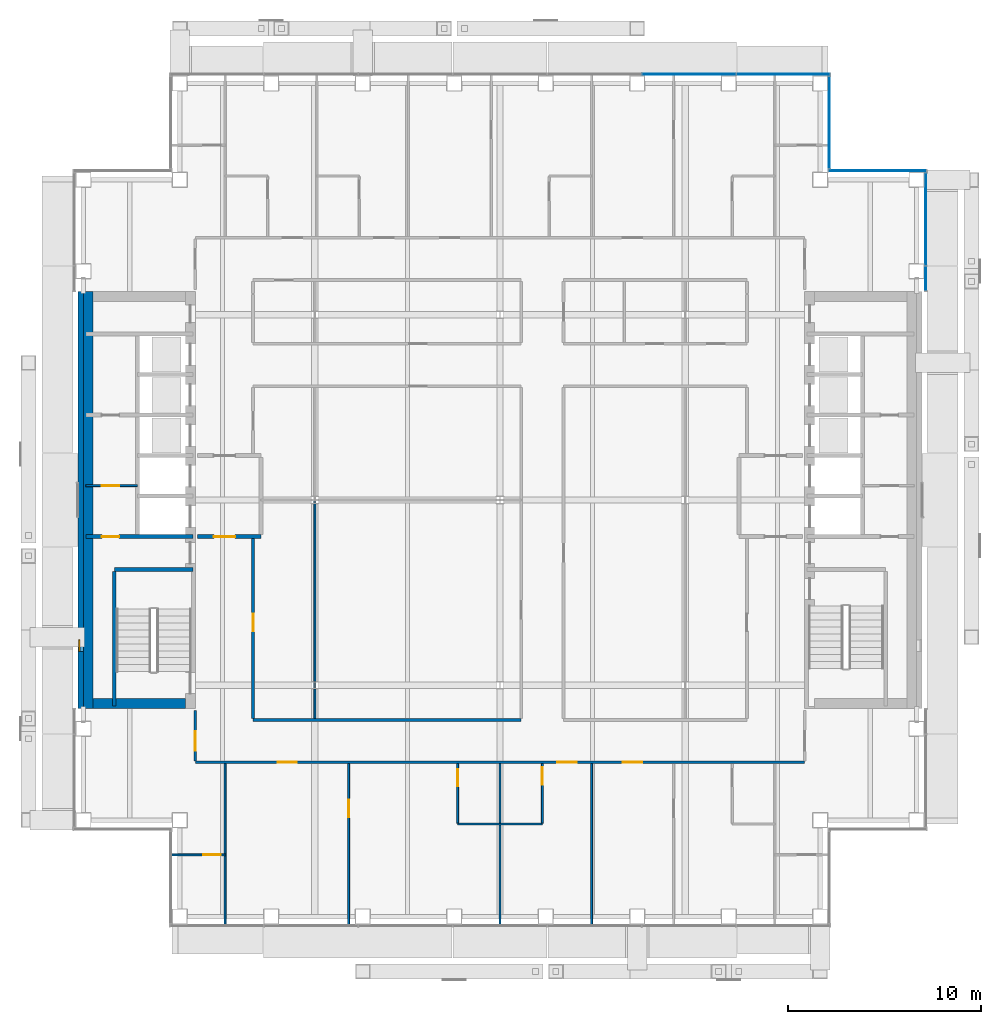
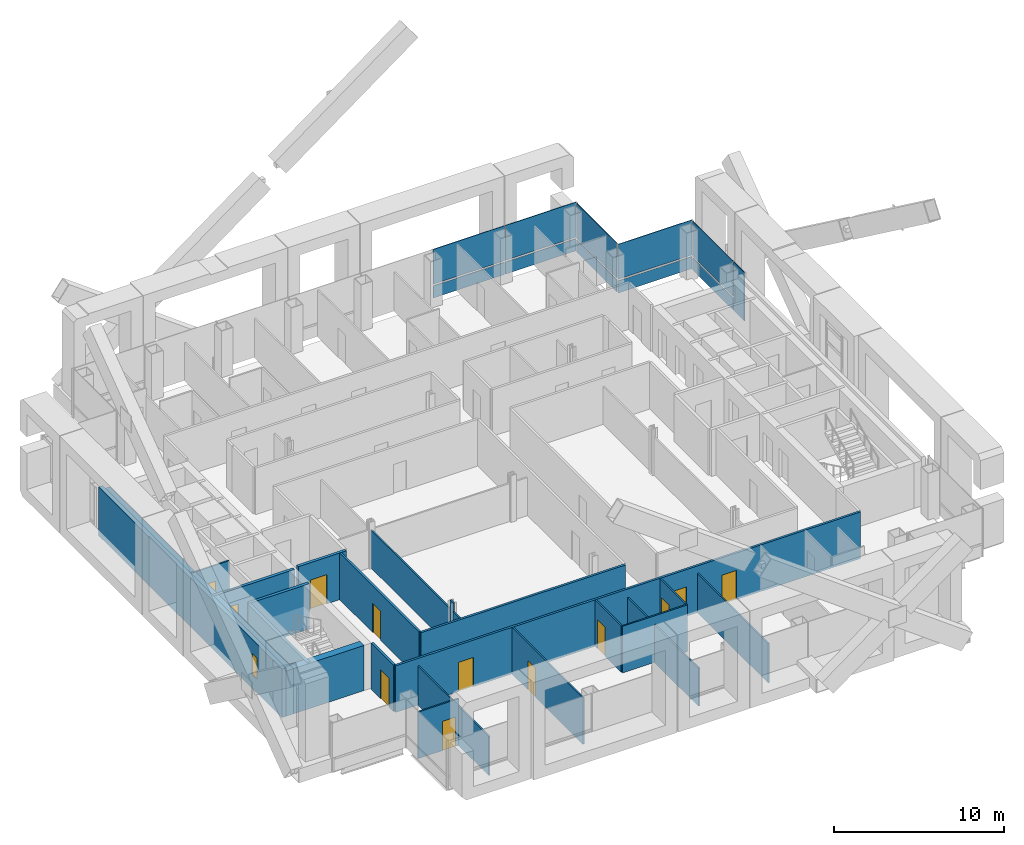
# One storey, part 12 of 22: 24 walls, 12 doors, 11 plates, 1 window, 13 openings, 4 elements without a shape of their own.
"""IFC4 building model written with IfcOpenShell, lengths in metres."""

from ifc_helpers import new_model, si_unit, direction, frame, frame_2d, origin, origin_2d, place, context, subcontext, project, spatial, rectangle, extrude, material, layer, layer_set, type_object, element, fill, aggregate, save


model = new_model("IFC4")

# Units and contexts
model_context = context("Model", 3, precision=1e-05, world=origin(), true_north=direction((0.0, 1.0)))
body_context = subcontext(model_context, "Body", "Model", "MODEL_VIEW")
ifc_project = project(units=[si_unit("LENGTHUNIT", "METRE"), si_unit("AREAUNIT", "SQUARE_METRE"), si_unit("VOLUMEUNIT", "CUBIC_METRE"), si_unit("PLANEANGLEUNIT", "RADIAN"), si_unit("MASSUNIT", "GRAM", prefix="KILO")], contexts=[model_context])

# Site, building, storey
site_placement = place(None, origin())
site = spatial("IfcSite", under=ifc_project, at=site_placement, CompositionType="ELEMENT")
building_placement = place(site_placement, origin())
building = spatial("IfcBuilding", under=site, at=building_placement, Name="Cobrizo Arcos Hotel Tower", CompositionType="ELEMENT")
storey_placement = place(building_placement, frame((0.0, 0.0, 169.0)))
storey = spatial("IfcBuildingStorey", under=building, at=storey_placement, Name="L43", CompositionType="ELEMENT", Elevation=169.0)

# Curtain wall, plate
ifc_material_1 = material(Name="Aluminium 6063-T6 anodised bronze", Category="aluminium")
curtain_wall_type = type_object("IfcCurtainWallType", Name="CW-A guest facade", PredefinedType="NOTDEFINED", material=ifc_material_1)
curtain_wall_1_placement = place(storey_placement, origin())
curtain_wall_1 = element("IfcCurtainWall", 1, at=curtain_wall_1_placement, inside=storey, type_object=curtain_wall_type, Name="CW-A L43 E face", PredefinedType="NOTDEFINED")
ifc_material_2 = material(Name="Glass clear laminated low-e", Category="glass")
ifc_layer_1 = layer(ifc_material_2, 0.0400390625)
ifc_layer_set_1 = layer_set([ifc_layer_1], Name="CW-A glass panel")
plate_type_1 = type_object("IfcPlateType", Name="CW-A glass panel", PredefinedType="CURTAIN_PANEL", material=ifc_layer_set_1)
plate_1_placement = place(storey_placement, frame((22.074951171875, 14.556396484375, 0.990234375), z_axis=(0.0, 0.0, 1.0), x_axis=(0.0, 1.0, 0.0)))
plate_1 = element("IfcPlate", 2, at=plate_1_placement, type_object=plate_type_1, Name="CW-A glass panel 1528", PredefinedType="CURTAIN_PANEL", context=body_context, shape_type="SweptSolid", body=[
    extrude(rectangle(XDim=4.76708984375, YDim=0.0400390625, at=origin_2d()), origin(), (0.0, 0.0, 1.0), 2.510009765625),
])

curtain_wall_2_placement = place(storey_placement, origin())
curtain_wall_2 = element("IfcCurtainWall", 3, at=curtain_wall_2_placement, inside=storey, type_object=curtain_wall_type, Name="CW-A L43 N face", PredefinedType="NOTDEFINED")
plate_2_placement = place(storey_placement, frame((19.574951171875, 17.074951171875, 0.990234375), z_axis=(0.0, 0.0, 1.0), x_axis=(-1.0, 0.0, 0.0)))
plate_2 = element("IfcPlate", 4, at=plate_2_placement, type_object=plate_type_1, Name="CW-A glass panel 1529", PredefinedType="CURTAIN_PANEL", context=body_context, shape_type="SweptSolid", body=[
    extrude(rectangle(XDim=5.030029296875, YDim=0.0400390625, at=origin_2d()), origin(), (0.0, 0.0, 1.0), 2.510009765625),
])

curtain_wall_3_placement = place(storey_placement, origin())
curtain_wall_3 = element("IfcCurtainWall", 5, at=curtain_wall_3_placement, inside=storey, type_object=curtain_wall_type, Name="CW-A L43 E face", PredefinedType="NOTDEFINED")
plate_3_placement = place(storey_placement, frame((17.074951171875, 19.574951171875, 0.990234375), z_axis=(0.0, 0.0, 1.0), x_axis=(0.0, 1.0, 0.0)))
plate_3 = element("IfcPlate", 6, at=plate_3_placement, type_object=plate_type_1, Name="CW-A glass panel 1530", PredefinedType="CURTAIN_PANEL", context=body_context, shape_type="SweptSolid", body=[
    extrude(rectangle(XDim=4.72998046875, YDim=0.0400390625, at=origin_2d()), origin(), (0.0, 0.0, 1.0), 2.510009765625),
])

# Curtain wall, plates
curtain_wall_4_placement = place(storey_placement, origin())
curtain_wall_4 = element("IfcCurtainWall", 7, at=curtain_wall_4_placement, inside=storey, type_object=curtain_wall_type, Name="CW-A L43 N face", PredefinedType="NOTDEFINED")
plate_4_placement = place(storey_placement, frame((14.68505859375, 22.074951171875, 0.990234375), z_axis=(0.0, 0.0, 1.0), x_axis=(-1.0, 0.0, 0.0)))
plate_4 = element("IfcPlate", 8, at=plate_4_placement, type_object=plate_type_1, Name="CW-A glass panel 1531", PredefinedType="CURTAIN_PANEL", context=body_context, shape_type="SweptSolid", body=[
    extrude(rectangle(XDim=4.81005859375, YDim=0.0400390625, at=origin_2d()), origin(), (0.0, 0.0, 1.0), 2.510009765625),
])
plate_5_placement = place(storey_placement, frame((9.800048828125, 22.074951171875, 0.990234375), z_axis=(0.0, 0.0, 1.0), x_axis=(-1.0, 0.0, 0.0)))
plate_5 = element("IfcPlate", 9, at=plate_5_placement, type_object=plate_type_1, Name="CW-A glass panel 1532", PredefinedType="CURTAIN_PANEL", context=body_context, shape_type="SweptSolid", body=[
    extrude(rectangle(XDim=4.840087890625, YDim=0.0400390625, at=origin_2d()), origin(), (0.0, 0.0, 1.0), 2.510009765625),
])

# Plate
ifc_material_3 = material(Name="Aluminium composite panel pale metal", Category="aluminium")
ifc_layer_2 = layer(ifc_material_3, 0.0400390625)
ifc_layer_set_2 = layer_set([ifc_layer_2], Name="CW-A spandrel panel")
plate_type_2 = type_object("IfcPlateType", Name="CW-A spandrel panel", PredefinedType="CURTAIN_PANEL", material=ifc_layer_set_2)
plate_6_placement = place(storey_placement, frame((22.074951171875, 11.486328125, 0.0), z_axis=(0.0, 0.0, 1.0), x_axis=(0.0, 1.0, 0.0)))
plate_6 = element("IfcPlate", 10, at=plate_6_placement, type_object=plate_type_2, Name="CW-A spandrel panel 1527", PredefinedType="CURTAIN_PANEL", context=body_context, shape_type="SweptSolid", body=[
    extrude(rectangle(XDim=1.2529296875, YDim=0.0400390625, at=origin_2d()), origin(), (0.0, 0.0, 1.0), 3.5),
])

plate_7_placement = place(storey_placement, frame((22.074951171875, 14.556396484375, 0.0), z_axis=(0.0, 0.0, 1.0), x_axis=(0.0, 1.0, 0.0)))
plate_7 = element("IfcPlate", 11, at=plate_7_placement, type_object=plate_type_2, Name="CW-A spandrel panel 1528", PredefinedType="CURTAIN_PANEL", context=body_context, shape_type="SweptSolid", body=[
    extrude(rectangle(XDim=4.76708984375, YDim=0.0400390625, at=origin_2d()), origin(), (0.0, 0.0, 1.0), 0.8701171875),
])

aggregate(curtain_wall_1, [plate_6, plate_7, plate_1])

plate_8_placement = place(storey_placement, frame((19.574951171875, 17.074951171875, 0.0), z_axis=(0.0, 0.0, 1.0), x_axis=(-1.0, 0.0, 0.0)))
plate_8 = element("IfcPlate", 12, at=plate_8_placement, type_object=plate_type_2, Name="CW-A spandrel panel 1529", PredefinedType="CURTAIN_PANEL", context=body_context, shape_type="SweptSolid", body=[
    extrude(rectangle(XDim=5.030029296875, YDim=0.0400390625, at=origin_2d()), origin(), (0.0, 0.0, 1.0), 0.8701171875),
])

aggregate(curtain_wall_2, [plate_8, plate_2])

plate_9_placement = place(storey_placement, frame((17.074951171875, 19.574951171875, 0.0), z_axis=(0.0, 0.0, 1.0), x_axis=(0.0, 1.0, 0.0)))
plate_9 = element("IfcPlate", 13, at=plate_9_placement, type_object=plate_type_2, Name="CW-A spandrel panel 1530", PredefinedType="CURTAIN_PANEL", context=body_context, shape_type="SweptSolid", body=[
    extrude(rectangle(XDim=4.72998046875, YDim=0.0400390625, at=origin_2d()), origin(), (0.0, 0.0, 1.0), 0.8701171875),
])

aggregate(curtain_wall_3, [plate_9, plate_3])

plate_10_placement = place(storey_placement, frame((14.68505859375, 22.074951171875, 0.0), z_axis=(0.0, 0.0, 1.0), x_axis=(-1.0, 0.0, 0.0)))
plate_10 = element("IfcPlate", 14, at=plate_10_placement, type_object=plate_type_2, Name="CW-A spandrel panel 1531", PredefinedType="CURTAIN_PANEL", context=body_context, shape_type="SweptSolid", body=[
    extrude(rectangle(XDim=4.81005859375, YDim=0.0400390625, at=origin_2d()), origin(), (0.0, 0.0, 1.0), 0.8701171875),
])

plate_11_placement = place(storey_placement, frame((9.800048828125, 22.074951171875, 0.0), z_axis=(0.0, 0.0, 1.0), x_axis=(-1.0, 0.0, 0.0)))
plate_11 = element("IfcPlate", 15, at=plate_11_placement, type_object=plate_type_2, Name="CW-A spandrel panel 1532", PredefinedType="CURTAIN_PANEL", context=body_context, shape_type="SweptSolid", body=[
    extrude(rectangle(XDim=4.840087890625, YDim=0.0400390625, at=origin_2d()), origin(), (0.0, 0.0, 1.0), 0.8701171875),
])

aggregate(curtain_wall_4, [plate_10, plate_4, plate_11, plate_5])

# Wall, openings, doors
ifc_material_4 = material(Name="Gypsum board partition")
ifc_layer_3 = layer(ifc_material_4, 0.14990234375)
ifc_layer_set_3 = layer_set([ifc_layer_3], Name="Corridor wall EI 60 150")
wall_type_1 = type_object("IfcWallType", Name="Corridor wall EI 60 150", PredefinedType="PARTITIONING", material=ifc_layer_set_3)
wall_1_placement = place(storey_placement, frame((-15.800048828125, -13.60009765625, 0.0), z_axis=(0.0, 0.0, 1.0), x_axis=(1.0, 0.0, 0.0)))
wall_1 = element("IfcWall", 16, at=wall_1_placement, inside=storey, type_object=wall_type_1, Name="Partition 005", PredefinedType="PARTITIONING", context=body_context, shape_type="SweptSolid", body=[
    extrude(rectangle(XDim=31.60009765625, YDim=0.14990234375, at=frame_2d((15.800048828125, 0.0))), origin(), (0.0, 0.0, 1.0), 3.35009765625),
])
opening_1_placement = place(wall_1_placement, frame((4.27294921875, 0.0, 0.0)))
opening_1 = element("IfcOpeningElement", 17, at=opening_1_placement, cuts=wall_1, Name="Opening GD-05", PredefinedType="OPENING", context=body_context, shape_type="SweptSolid", body=[
    extrude(rectangle(XDim=1.0, YDim=2.10009765625, at=frame_2d((0.5, 1.050048828125))), frame((0.0, 0.0869140625, 0.0), z_axis=(0.0, -1.0, 0.0), x_axis=(1.0, 0.0, 0.0)), (0.0, 0.0, 1.0), 0.173828125),
])
opening_2_placement = place(wall_1_placement, frame((18.77099609375, 0.0, 0.0)))
opening_2 = element("IfcOpeningElement", 18, at=opening_2_placement, cuts=wall_1, Name="Opening GD-06", PredefinedType="OPENING", context=body_context, shape_type="SweptSolid", body=[
    extrude(rectangle(XDim=1.0, YDim=2.10009765625, at=frame_2d((0.5, 1.050048828125))), frame((0.0, 0.0869140625, 0.0), z_axis=(0.0, -1.0, 0.0), x_axis=(1.0, 0.0, 0.0)), (0.0, 0.0, 1.0), 0.173828125),
])
opening_3_placement = place(wall_1_placement, frame((22.177978515625, 0.0, 0.0)))
opening_3 = element("IfcOpeningElement", 19, at=opening_3_placement, cuts=wall_1, Name="Opening GD-07", PredefinedType="OPENING", context=body_context, shape_type="SweptSolid", body=[
    extrude(rectangle(XDim=1.0, YDim=2.10009765625, at=frame_2d((0.5, 1.050048828125))), frame((0.0, 0.0869140625, 0.0), z_axis=(0.0, -1.0, 0.0), x_axis=(1.0, 0.0, 0.0)), (0.0, 0.0, 1.0), 0.173828125),
])
ifc_material_5 = material(Name="Timber door leaf", Category="wood")
door_type_1 = type_object("IfcDoorType", Name="Guest room door FD30S 1000x2100", OperationType="SINGLE_SWING_LEFT", PredefinedType="DOOR", material=ifc_material_5)
door_1_placement = place(opening_1_placement, origin())
door_1 = element("IfcDoor", 20, at=door_1_placement, inside=storey, type_object=door_type_1, Name="Door GD-05", OperationType="SINGLE_SWING_RIGHT", OverallHeight=2.10009765625, OverallWidth=1.0, PredefinedType="DOOR", context=body_context, shape_type="SweptSolid", body=[
    extrude(rectangle(XDim=1.0, YDim=2.10009765625, at=frame_2d((0.5, 1.050048828125))), frame((0.0, 0.02490234375, 0.0), z_axis=(0.0, -1.0, 0.0), x_axis=(1.0, 0.0, 0.0)), (0.0, 0.0, 1.0), 0.050048828125),
])
fill(opening_1, door_1)
door_2_placement = place(opening_2_placement, origin())
door_2 = element("IfcDoor", 21, at=door_2_placement, inside=storey, type_object=door_type_1, Name="Door GD-06", OperationType="SINGLE_SWING_LEFT", OverallHeight=2.10009765625, OverallWidth=1.0, PredefinedType="DOOR", context=body_context, shape_type="SweptSolid", body=[
    extrude(rectangle(XDim=1.0, YDim=2.10009765625, at=frame_2d((0.5, 1.050048828125))), frame((0.0, 0.02490234375, 0.0), z_axis=(0.0, -1.0, 0.0), x_axis=(1.0, 0.0, 0.0)), (0.0, 0.0, 1.0), 0.050048828125),
])
fill(opening_2, door_2)
door_3_placement = place(opening_3_placement, origin())
door_3 = element("IfcDoor", 22, at=door_3_placement, inside=storey, type_object=door_type_1, Name="Door GD-07", OperationType="SINGLE_SWING_LEFT", OverallHeight=2.10009765625, OverallWidth=1.0, PredefinedType="DOOR", context=body_context, shape_type="SweptSolid", body=[
    extrude(rectangle(XDim=1.0, YDim=2.10009765625, at=frame_2d((0.5, 1.050048828125))), frame((0.0, 0.02490234375, 0.0), z_axis=(0.0, -1.0, 0.0), x_axis=(1.0, 0.0, 0.0)), (0.0, 0.0, 1.0), 0.050048828125),
])
fill(opening_3, door_3)

# Wall
wall_2_placement = place(storey_placement, frame((-12.800048828125, -11.39990234375, 0.0), z_axis=(0.0, 0.0, 1.0), x_axis=(1.0, 0.0, 0.0)))
element("IfcWall", 23, at=wall_2_placement, inside=storey, type_object=wall_type_1, Name="Partition 006", PredefinedType="PARTITIONING", context=body_context, shape_type="SweptSolid", body=[
    extrude(rectangle(XDim=13.900146484375, YDim=0.14990234375, at=frame_2d((6.9501953125, 0.0))), origin(), (0.0, 0.0, 1.0), 3.35009765625),
])

# Wall, opening, door
wall_3_placement = place(storey_placement, frame((-15.800048828125, -13.52490234375, 0.0), z_axis=(0.0, 0.0, 1.0), x_axis=(0.0, 1.0, 0.0)))
wall_3 = element("IfcWall", 24, at=wall_3_placement, inside=storey, type_object=wall_type_1, Name="Partition 050", PredefinedType="PARTITIONING", context=body_context, shape_type="SweptSolid", body=[
    extrude(rectangle(XDim=2.60498046875, YDim=0.14990234375, at=frame_2d((1.302490234375, 0.0))), origin(), (0.0, 0.0, 1.0), 3.35009765625),
])
opening_4_placement = place(wall_3_placement, frame((0.52490234375, 0.0, 0.0)))
opening_4 = element("IfcOpeningElement", 25, at=opening_4_placement, cuts=wall_3, Name="Opening GD-08", PredefinedType="OPENING", context=body_context, shape_type="SweptSolid", body=[
    extrude(rectangle(XDim=1.0, YDim=2.10009765625, at=frame_2d((0.5, 1.050048828125))), frame((0.0, 0.0869140625, 0.0), z_axis=(0.0, -1.0, 0.0), x_axis=(1.0, 0.0, 0.0)), (0.0, 0.0, 1.0), 0.173828125),
])
door_4_placement = place(opening_4_placement, origin())
door_4 = element("IfcDoor", 26, at=door_4_placement, inside=storey, type_object=door_type_1, Name="Door GD-08", OperationType="SINGLE_SWING_LEFT", OverallHeight=2.10009765625, OverallWidth=1.0, PredefinedType="DOOR", context=body_context, shape_type="SweptSolid", body=[
    extrude(rectangle(XDim=1.0, YDim=2.10009765625, at=frame_2d((0.5, 1.050048828125))), frame((0.0, 0.02490234375, 0.0), z_axis=(0.0, -1.0, 0.0), x_axis=(1.0, 0.0, 0.0)), (0.0, 0.0, 1.0), 0.050048828125),
])
fill(opening_4, door_4)

wall_4_placement = place(storey_placement, frame((-12.800048828125, -11.324951171875, 0.0), z_axis=(0.0, 0.0, 1.0), x_axis=(0.0, 1.0, 0.0)))
wall_4 = element("IfcWall", 27, at=wall_4_placement, inside=storey, type_object=wall_type_1, Name="Partition 054", PredefinedType="PARTITIONING", context=body_context, shape_type="SweptSolid", body=[
    extrude(rectangle(XDim=9.324951171875, YDim=0.14990234375, at=frame_2d((4.66259765625, 0.0))), origin(), (0.0, 0.0, 1.0), 3.35009765625),
])
opening_5_placement = place(wall_4_placement, frame((4.52490234375, 0.0, 0.0)))
opening_5 = element("IfcOpeningElement", 28, at=opening_5_placement, cuts=wall_4, Name="Opening RD-17", PredefinedType="OPENING", context=body_context, shape_type="SweptSolid", body=[
    extrude(rectangle(XDim=0.89990234375, YDim=2.10009765625, at=frame_2d((0.449951171875, 1.050048828125))), frame((0.0, 0.0869140625, 0.0), z_axis=(0.0, -1.0, 0.0), x_axis=(1.0, 0.0, 0.0)), (0.0, 0.0, 1.0), 0.173828125),
])
door_type_2 = type_object("IfcDoorType", Name="Room door FD30 900x2100", OperationType="SINGLE_SWING_LEFT", PredefinedType="DOOR", material=ifc_material_5)
door_5_placement = place(opening_5_placement, origin())
door_5 = element("IfcDoor", 29, at=door_5_placement, inside=storey, type_object=door_type_2, Name="Door RD-17", OperationType="SINGLE_SWING_LEFT", OverallHeight=2.10009765625, OverallWidth=0.89990234375, PredefinedType="DOOR", context=body_context, shape_type="SweptSolid", body=[
    extrude(rectangle(XDim=0.89990234375, YDim=2.10009765625, at=frame_2d((0.449951171875, 1.050048828125))), frame((0.0, 0.02490234375, 0.0), z_axis=(0.0, -1.0, 0.0), x_axis=(1.0, 0.0, 0.0)), (0.0, 0.0, 1.0), 0.050048828125),
])
fill(opening_5, door_5)

# Wall, opening, window
ifc_layer_4 = layer(ifc_material_3, 0.27490234375)
ifc_layer_set_4 = layer_set([ifc_layer_4], Name="EW-1 insulated panel wall 275")
wall_type_2 = type_object("IfcWallType", Name="EW-1 insulated panel wall 275", PredefinedType="SOLIDWALL", material=ifc_layer_set_4)
wall_5_placement = place(storey_placement, frame((-21.737548828125, 10.800048828125, 0.0), z_axis=(0.0, 0.0, 1.0), x_axis=(0.0, -1.0, 0.0)))
wall_5 = element("IfcWall", 30, at=wall_5_placement, inside=storey, type_object=wall_type_2, Name="Core face wall L43 W", PredefinedType="SOLIDWALL", context=body_context, shape_type="SweptSolid", body=[
    extrude(rectangle(XDim=21.60009765625, YDim=0.27490234375, at=frame_2d((10.800048828125, 0.0))), origin(), (0.0, 0.0, 1.0), 3.5),
])
opening_6_placement = place(wall_5_placement, frame((18.050048828125, 0.0, 1.0)))
opening_6 = element("IfcOpeningElement", 31, at=opening_6_placement, cuts=wall_5, Name="Opening W-94", PredefinedType="OPENING", context=body_context, shape_type="SweptSolid", body=[
    extrude(rectangle(XDim=0.60009765625, YDim=1.5, at=frame_2d((0.300048828125, 0.75))), frame((0.0, 0.1494140625, 0.0), z_axis=(0.0, -1.0, 0.0), x_axis=(1.0, 0.0, 0.0)), (0.0, 0.0, 1.0), 0.298828125),
])
ifc_material_6 = material(Name="Aluminium 6063-T6 and clear laminated glass", Category="aluminium")
window_type = type_object("IfcWindowType", Name="W-C1 core stair slot window 600x1500", PartitioningType="SINGLE_PANEL", PredefinedType="WINDOW", material=ifc_material_6)
window_placement = place(opening_6_placement, origin())
window = element("IfcWindow", 32, at=window_placement, inside=storey, type_object=window_type, Name="Core face wall L43 W window W-94", OverallHeight=1.5, OverallWidth=0.60009765625, PartitioningType="SINGLE_PANEL", PredefinedType="WINDOW", context=body_context, shape_type="SweptSolid", body=[
    extrude(rectangle(XDim=0.60009765625, YDim=1.5, at=frame_2d((0.300048828125, 0.75))), frame((0.0, -0.04736328125, 0.0), z_axis=(0.0, -1.0, 0.0), x_axis=(1.0, 0.0, 0.0)), (0.0, 0.0, 1.0), 0.06005859375),
])
fill(opening_6, window)

# Wall, opening, door
ifc_layer_5 = layer(ifc_material_4, 0.10009765625)
ifc_layer_set_5 = layer_set([ifc_layer_5], Name="Partition EI 30 100")
wall_type_3 = type_object("IfcWallType", Name="Partition EI 30 100", PredefinedType="PARTITIONING", material=ifc_layer_set_5)
wall_6_placement = place(storey_placement, frame((-17.030029296875, -18.39990234375, 0.0), z_axis=(0.0, 0.0, 1.0), x_axis=(1.0, 0.0, 0.0)))
wall_6 = element("IfcWall", 33, at=wall_6_placement, inside=storey, type_object=wall_type_3, Name="Partition 001", PredefinedType="PARTITIONING", context=body_context, shape_type="SweptSolid", body=[
    extrude(rectangle(XDim=2.780029296875, YDim=0.10009765625, at=frame_2d((1.39013671875, 0.0))), origin(), (0.0, 0.0, 1.0), 3.35009765625),
])
opening_7_placement = place(wall_6_placement, frame((1.639892578125, 0.0, 0.0)))
opening_7 = element("IfcOpeningElement", 34, at=opening_7_placement, cuts=wall_6, Name="Opening ED-08", PredefinedType="OPENING", context=body_context, shape_type="SweptSolid", body=[
    extrude(rectangle(XDim=0.89990234375, YDim=2.10009765625, at=frame_2d((0.449951171875, 1.050048828125))), frame((0.0, 0.06201171875, 0.0), z_axis=(0.0, -1.0, 0.0), x_axis=(1.0, 0.0, 0.0)), (0.0, 0.0, 1.0), 0.1240234375),
])
door_type_3 = type_object("IfcDoorType", Name="En-suite door 900x2100", OperationType="SINGLE_SWING_LEFT", PredefinedType="DOOR", material=ifc_material_5)
door_6_placement = place(opening_7_placement, origin())
door_6 = element("IfcDoor", 35, at=door_6_placement, inside=storey, type_object=door_type_3, Name="Door ED-08", OperationType="SINGLE_SWING_LEFT", OverallHeight=2.10009765625, OverallWidth=0.89990234375, PredefinedType="DOOR", context=body_context, shape_type="SweptSolid", body=[
    extrude(rectangle(XDim=0.89990234375, YDim=2.10009765625, at=frame_2d((0.449951171875, 1.050048828125))), frame((0.0, 0.02490234375, 0.0), z_axis=(0.0, -1.0, 0.0), x_axis=(1.0, 0.0, 0.0)), (0.0, 0.0, 1.0), 0.050048828125),
])
fill(opening_7, door_6)

# Wall
wall_7_placement = place(storey_placement, frame((-2.199951171875, -16.800048828125, 0.0), z_axis=(0.0, 0.0, 1.0), x_axis=(1.0, 0.0, 0.0)))
element("IfcWall", 36, at=wall_7_placement, inside=storey, type_object=wall_type_3, Name="Partition 003", PredefinedType="PARTITIONING", context=body_context, shape_type="SweptSolid", body=[
    extrude(rectangle(XDim=4.39990234375, YDim=0.10009765625, at=frame_2d((2.199951171875, 0.0))), origin(), (0.0, 0.0, 1.0), 3.35009765625),
])

# Wall, opening, door
wall_8_placement = place(storey_placement, frame((-21.47998046875, 0.75, 0.0), z_axis=(0.0, 0.0, 1.0), x_axis=(1.0, 0.0, 0.0)))
wall_8 = element("IfcWall", 37, at=wall_8_placement, inside=storey, type_object=wall_type_3, Name="Partition 021", PredefinedType="PARTITIONING", context=body_context, shape_type="SweptSolid", body=[
    extrude(rectangle(XDim=2.679931640625, YDim=0.10009765625, at=frame_2d((1.33984375, 0.0))), origin(), (0.0, 0.0, 1.0), 3.25),
])
opening_8_placement = place(wall_8_placement, frame((0.830078125, 0.0, 0.0)))
opening_8 = element("IfcOpeningElement", 38, at=opening_8_placement, cuts=wall_8, Name="Opening RD-03", PredefinedType="OPENING", context=body_context, shape_type="SweptSolid", body=[
    extrude(rectangle(XDim=0.89990234375, YDim=2.10009765625, at=frame_2d((0.449951171875, 1.050048828125))), frame((0.0, 0.06201171875, 0.0), z_axis=(0.0, -1.0, 0.0), x_axis=(1.0, 0.0, 0.0)), (0.0, 0.0, 1.0), 0.1240234375),
])
door_7_placement = place(opening_8_placement, origin())
door_7 = element("IfcDoor", 39, at=door_7_placement, inside=storey, type_object=door_type_2, Name="Door RD-03", OperationType="SINGLE_SWING_LEFT", OverallHeight=2.10009765625, OverallWidth=0.89990234375, PredefinedType="DOOR", context=body_context, shape_type="SweptSolid", body=[
    extrude(rectangle(XDim=0.89990234375, YDim=2.10009765625, at=frame_2d((0.449951171875, 1.050048828125))), frame((0.0, 0.02490234375, 0.0), z_axis=(0.0, -1.0, 0.0), x_axis=(1.0, 0.0, 0.0)), (0.0, 0.0, 1.0), 0.050048828125),
])
fill(opening_8, door_7)

# Walls
wall_9_placement = place(storey_placement, frame((-14.25, -22.030029296875, 0.0), z_axis=(0.0, 0.0, 1.0), x_axis=(0.0, 1.0, 0.0)))
element("IfcWall", 40, at=wall_9_placement, inside=storey, type_object=wall_type_3, Name="Partition 052", PredefinedType="PARTITIONING", context=body_context, shape_type="SweptSolid", body=[
    extrude(rectangle(XDim=8.35498046875, YDim=0.10009765625, at=frame_2d((4.177490234375, 0.0))), origin(), (0.0, 0.0, 1.0), 2.81689453125),
])
wall_10_placement = place(storey_placement, frame((-9.60009765625, -11.324951171875, 0.0), z_axis=(0.0, 0.0, 1.0), x_axis=(0.0, 1.0, 0.0)))
element("IfcWall", 41, at=wall_10_placement, inside=storey, type_object=wall_type_3, Name="Partition 060", PredefinedType="PARTITIONING", context=body_context, shape_type="SweptSolid", body=[
    extrude(rectangle(XDim=1.537841796875, YDim=0.10009765625, at=frame_2d((0.76904296875, 0.0))), origin(), (0.0, 0.0, 1.0), 2.72802734375),
])
wall_11_placement = place(storey_placement, frame((-9.60009765625, -9.787109375, 0.0), z_axis=(0.0, 0.0, 1.0), x_axis=(0.0, 1.0, 0.0)))
element("IfcWall", 42, at=wall_11_placement, inside=storey, type_object=wall_type_3, Name="Partition 061", PredefinedType="PARTITIONING", context=body_context, shape_type="SweptSolid", body=[
    extrude(rectangle(XDim=0.3740234375, YDim=0.10009765625, at=frame_2d((0.18701171875, 0.0))), origin(), (0.0, 0.0, 1.0), 3.35009765625),
])
wall_12_placement = place(storey_placement, frame((-9.60009765625, -9.4130859375, 0.0), z_axis=(0.0, 0.0, 1.0), x_axis=(0.0, 1.0, 0.0)))
element("IfcWall", 43, at=wall_12_placement, inside=storey, type_object=wall_type_3, Name="Partition 062", PredefinedType="PARTITIONING", context=body_context, shape_type="SweptSolid", body=[
    extrude(rectangle(XDim=9.363037109375, YDim=0.10009765625, at=frame_2d((4.681640625, 0.0))), origin(), (0.0, 0.0, 1.0), 2.72802734375),
])

# Wall, opening, door
wall_13_placement = place(storey_placement, frame((-7.85009765625, -22.030029296875, 0.0), z_axis=(0.0, 0.0, 1.0), x_axis=(0.0, 1.0, 0.0)))
wall_13 = element("IfcWall", 44, at=wall_13_placement, inside=storey, type_object=wall_type_3, Name="Partition 068", PredefinedType="PARTITIONING", context=body_context, shape_type="SweptSolid", body=[
    extrude(rectangle(XDim=8.35498046875, YDim=0.10009765625, at=frame_2d((4.177490234375, 0.0))), origin(), (0.0, 0.0, 1.0), 3.35009765625),
])
opening_9_placement = place(wall_13_placement, frame((5.580078125, 0.0, 0.0)))
opening_9 = element("IfcOpeningElement", 45, at=opening_9_placement, cuts=wall_13, Name="Opening RD-11", PredefinedType="OPENING", context=body_context, shape_type="SweptSolid", body=[
    extrude(rectangle(XDim=0.89990234375, YDim=2.10009765625, at=frame_2d((0.449951171875, 1.050048828125))), frame((0.0, 0.06201171875, 0.0), z_axis=(0.0, -1.0, 0.0), x_axis=(1.0, 0.0, 0.0)), (0.0, 0.0, 1.0), 0.1240234375),
])
door_8_placement = place(opening_9_placement, origin())
door_8 = element("IfcDoor", 46, at=door_8_placement, inside=storey, type_object=door_type_2, Name="Door RD-11", OperationType="SINGLE_SWING_LEFT", OverallHeight=2.10009765625, OverallWidth=0.89990234375, PredefinedType="DOOR", context=body_context, shape_type="SweptSolid", body=[
    extrude(rectangle(XDim=0.89990234375, YDim=2.10009765625, at=frame_2d((0.449951171875, 1.050048828125))), frame((0.0, 0.02490234375, 0.0), z_axis=(0.0, -1.0, 0.0), x_axis=(1.0, 0.0, 0.0)), (0.0, 0.0, 1.0), 0.050048828125),
])
fill(opening_9, door_8)

wall_14_placement = place(storey_placement, frame((-2.199951171875, -16.75, 0.0), z_axis=(0.0, 0.0, 1.0), x_axis=(0.0, 1.0, 0.0)))
wall_14 = element("IfcWall", 47, at=wall_14_placement, inside=storey, type_object=wall_type_3, Name="Partition 071", PredefinedType="PARTITIONING", context=body_context, shape_type="SweptSolid", body=[
    extrude(rectangle(XDim=3.074951171875, YDim=0.10009765625, at=frame_2d((1.53759765625, 0.0))), origin(), (0.0, 0.0, 1.0), 3.35009765625),
])
opening_10_placement = place(wall_14_placement, frame((1.89990234375, 0.0, 0.0)))
opening_10 = element("IfcOpeningElement", 48, at=opening_10_placement, cuts=wall_14, Name="Opening ED-05", PredefinedType="OPENING", context=body_context, shape_type="SweptSolid", body=[
    extrude(rectangle(XDim=0.89990234375, YDim=2.10009765625, at=frame_2d((0.449951171875, 1.050048828125))), frame((0.0, 0.06201171875, 0.0), z_axis=(0.0, -1.0, 0.0), x_axis=(1.0, 0.0, 0.0)), (0.0, 0.0, 1.0), 0.1240234375),
])
door_9_placement = place(opening_10_placement, origin())
door_9 = element("IfcDoor", 49, at=door_9_placement, inside=storey, type_object=door_type_3, Name="Door ED-05", OperationType="SINGLE_SWING_LEFT", OverallHeight=2.10009765625, OverallWidth=0.89990234375, PredefinedType="DOOR", context=body_context, shape_type="SweptSolid", body=[
    extrude(rectangle(XDim=0.89990234375, YDim=2.10009765625, at=frame_2d((0.449951171875, 1.050048828125))), frame((0.0, 0.02490234375, 0.0), z_axis=(0.0, -1.0, 0.0), x_axis=(1.0, 0.0, 0.0)), (0.0, 0.0, 1.0), 0.050048828125),
])
fill(opening_10, door_9)

# Walls
wall_15_placement = place(storey_placement, frame((0.0, -22.030029296875, 0.0), z_axis=(0.0, 0.0, 1.0), x_axis=(0.0, 1.0, 0.0)))
element("IfcWall", 50, at=wall_15_placement, inside=storey, type_object=wall_type_3, Name="Partition 073", PredefinedType="PARTITIONING", context=body_context, shape_type="SweptSolid", body=[
    extrude(rectangle(XDim=5.179931640625, YDim=0.10009765625, at=frame_2d((2.58984375, 0.0))), origin(), (0.0, 0.0, 1.0), 2.72802734375),
])
wall_16_placement = place(storey_placement, frame((0.0, -16.75, 0.0), z_axis=(0.0, 0.0, 1.0), x_axis=(0.0, 1.0, 0.0)))
element("IfcWall", 51, at=wall_16_placement, inside=storey, type_object=wall_type_3, Name="Partition 074", PredefinedType="PARTITIONING", context=body_context, shape_type="SweptSolid", body=[
    extrude(rectangle(XDim=3.074951171875, YDim=0.10009765625, at=frame_2d((1.53759765625, 0.0))), origin(), (0.0, 0.0, 1.0), 2.72802734375),
])

# Wall, opening, door
wall_17_placement = place(storey_placement, frame((2.199951171875, -16.75, 0.0), z_axis=(0.0, 0.0, 1.0), x_axis=(0.0, 1.0, 0.0)))
wall_17 = element("IfcWall", 52, at=wall_17_placement, inside=storey, type_object=wall_type_3, Name="Partition 077", PredefinedType="PARTITIONING", context=body_context, shape_type="SweptSolid", body=[
    extrude(rectangle(XDim=3.074951171875, YDim=0.10009765625, at=frame_2d((1.53759765625, 0.0))), origin(), (0.0, 0.0, 1.0), 3.35009765625),
])
opening_11_placement = place(wall_17_placement, frame((1.99609375, 0.0, 0.0)))
opening_11 = element("IfcOpeningElement", 53, at=opening_11_placement, cuts=wall_17, Name="Opening ED-06", PredefinedType="OPENING", context=body_context, shape_type="SweptSolid", body=[
    extrude(rectangle(XDim=0.89990234375, YDim=2.10009765625, at=frame_2d((0.449951171875, 1.050048828125))), frame((0.0, 0.06201171875, 0.0), z_axis=(0.0, -1.0, 0.0), x_axis=(1.0, 0.0, 0.0)), (0.0, 0.0, 1.0), 0.1240234375),
])
door_10_placement = place(opening_11_placement, origin())
door_10 = element("IfcDoor", 54, at=door_10_placement, inside=storey, type_object=door_type_3, Name="Door ED-06", OperationType="SINGLE_SWING_RIGHT", OverallHeight=2.10009765625, OverallWidth=0.89990234375, PredefinedType="DOOR", context=body_context, shape_type="SweptSolid", body=[
    extrude(rectangle(XDim=0.89990234375, YDim=2.10009765625, at=frame_2d((0.449951171875, 1.050048828125))), frame((0.0, 0.02490234375, 0.0), z_axis=(0.0, -1.0, 0.0), x_axis=(1.0, 0.0, 0.0)), (0.0, 0.0, 1.0), 0.050048828125),
])
fill(opening_11, door_10)

# Walls
wall_18_placement = place(storey_placement, frame((4.75, -22.030029296875, 0.0), z_axis=(0.0, 0.0, 1.0), x_axis=(0.0, 1.0, 0.0)))
element("IfcWall", 55, at=wall_18_placement, inside=storey, type_object=wall_type_3, Name="Partition 081", PredefinedType="PARTITIONING", context=body_context, shape_type="SweptSolid", body=[
    extrude(rectangle(XDim=8.35498046875, YDim=0.10009765625, at=frame_2d((4.177490234375, 0.0))), origin(), (0.0, 0.0, 1.0), 2.81689453125),
])
ifc_material_7 = material(Name="Concrete f'c 50 MPa", Category="concrete")
ifc_layer_6 = layer(ifc_material_7, 0.5)
ifc_layer_set_6 = layer_set([ifc_layer_6], Name="RC core wall 500 f'c 50")
wall_type_4 = type_object("IfcWallType", Name="RC core wall 500 f'c 50", PredefinedType="SHEAR", material=ifc_layer_set_6)
wall_19_placement = place(storey_placement, frame((-21.35009765625, -10.800048828125, 0.0), z_axis=(0.0, 0.0, 1.0), x_axis=(0.0, 1.0, 0.0)))
element("IfcWall", 56, at=wall_19_placement, inside=storey, type_object=wall_type_4, Name="Core wall CW3, west core, outer face, L43", PredefinedType="SHEAR", context=body_context, shape_type="SweptSolid", body=[
    extrude(rectangle(XDim=21.60009765625, YDim=0.5, at=frame_2d((10.800048828125, 0.0))), origin(), (0.0, 0.0, 1.0), 3.25),
])
wall_20_placement = place(storey_placement, frame((-21.10009765625, -10.550048828125, 0.0), z_axis=(0.0, 0.0, 1.0), x_axis=(1.0, 0.0, 0.0)))
element("IfcWall", 57, at=wall_20_placement, inside=storey, type_object=wall_type_4, Name="Core wall CW3, west core, south end, L43", PredefinedType="SHEAR", context=body_context, shape_type="SweptSolid", body=[
    extrude(rectangle(XDim=4.800048828125, YDim=0.5, at=frame_2d((2.39990234375, 0.0))), origin(), (0.0, 0.0, 1.0), 3.25),
])

# Wall, opening, door
ifc_layer_7 = layer(ifc_material_4, 0.199951171875)
ifc_layer_set_7 = layer_set([ifc_layer_7], Name="Shaft wall EI 120 200")
wall_type_5 = type_object("IfcWallType", Name="Shaft wall EI 120 200", PredefinedType="PARTITIONING", material=ifc_layer_set_7)
wall_21_placement = place(storey_placement, frame((-21.47998046875, -1.89990234375, 0.0), z_axis=(0.0, 0.0, 1.0), x_axis=(1.0, 0.0, 0.0)))
wall_21 = element("IfcWall", 58, at=wall_21_placement, inside=storey, type_object=wall_type_5, Name="Partition 010", PredefinedType="PARTITIONING", context=body_context, shape_type="SweptSolid", body=[
    extrude(rectangle(XDim=5.56005859375, YDim=0.199951171875, at=frame_2d((2.780029296875, 0.0))), origin(), (0.0, 0.0, 1.0), 3.25),
])
opening_12_placement = place(wall_21_placement, frame((0.830078125, 0.0, 0.0)))
opening_12 = element("IfcOpeningElement", 59, at=opening_12_placement, cuts=wall_21, Name="Opening RD-02", PredefinedType="OPENING", context=body_context, shape_type="SweptSolid", body=[
    extrude(rectangle(XDim=0.89990234375, YDim=2.10009765625, at=frame_2d((0.449951171875, 1.050048828125))), frame((0.0, 0.112060546875, 0.0), z_axis=(0.0, -1.0, 0.0), x_axis=(1.0, 0.0, 0.0)), (0.0, 0.0, 1.0), 0.223876953125),
])
door_11_placement = place(opening_12_placement, origin())
door_11 = element("IfcDoor", 60, at=door_11_placement, inside=storey, type_object=door_type_2, Name="Door RD-02", OperationType="SINGLE_SWING_RIGHT", OverallHeight=2.10009765625, OverallWidth=0.89990234375, PredefinedType="DOOR", context=body_context, shape_type="SweptSolid", body=[
    extrude(rectangle(XDim=0.89990234375, YDim=2.10009765625, at=frame_2d((0.449951171875, 1.050048828125))), frame((0.0, 0.02490234375, 0.0), z_axis=(0.0, -1.0, 0.0), x_axis=(1.0, 0.0, 0.0)), (0.0, 0.0, 1.0), 0.050048828125),
])
fill(opening_12, door_11)

wall_22_placement = place(storey_placement, frame((-15.679931640625, -1.89990234375, 0.0), z_axis=(0.0, 0.0, 1.0), x_axis=(1.0, 0.0, 0.0)))
wall_22 = element("IfcWall", 61, at=wall_22_placement, inside=storey, type_object=wall_type_5, Name="Partition 011", PredefinedType="PARTITIONING", context=body_context, shape_type="SweptSolid", body=[
    extrude(rectangle(XDim=3.280029296875, YDim=0.199951171875, at=frame_2d((1.64013671875, 0.0))), origin(), (0.0, 0.0, 1.0), 3.35009765625),
])
opening_13_placement = place(wall_22_placement, frame((0.840087890625, 0.0, 0.0)))
opening_13 = element("IfcOpeningElement", 62, at=opening_13_placement, cuts=wall_22, Name="Opening FD-03", PredefinedType="OPENING", context=body_context, shape_type="SweptSolid", body=[
    extrude(rectangle(XDim=1.10009765625, YDim=2.10009765625, at=frame_2d((0.550048828125, 1.050048828125))), frame((0.0, 0.112060546875, 0.0), z_axis=(0.0, -1.0, 0.0), x_axis=(1.0, 0.0, 0.0)), (0.0, 0.0, 1.0), 0.223876953125),
])
ifc_material_8 = material(Name="Steel door leaf", Category="steel")
door_type_4 = type_object("IfcDoorType", Name="Fire door FD60 1100x2100", OperationType="SINGLE_SWING_LEFT", PredefinedType="DOOR", material=ifc_material_8)
door_12_placement = place(opening_13_placement, origin())
door_12 = element("IfcDoor", 63, at=door_12_placement, inside=storey, type_object=door_type_4, Name="Door FD-03", OperationType="SINGLE_SWING_RIGHT", OverallHeight=2.10009765625, OverallWidth=1.10009765625, PredefinedType="DOOR", context=body_context, shape_type="SweptSolid", body=[
    extrude(rectangle(XDim=1.10009765625, YDim=2.10009765625, at=frame_2d((0.550048828125, 1.050048828125))), frame((0.0, 0.02490234375, 0.0), z_axis=(0.0, -1.0, 0.0), x_axis=(1.0, 0.0, 0.0)), (0.0, 0.0, 1.0), 0.050048828125),
])
fill(opening_13, door_12)

# Walls
ifc_material_9 = material(Name="Concrete f'c 40 MPa", Category="concrete")
ifc_layer_8 = layer(ifc_material_9, 0.199951171875)
ifc_layer_set_8 = layer_set([ifc_layer_8], Name="Stair shaft wall 200")
wall_type_6 = type_object("IfcWallType", Name="Stair shaft wall 200", PredefinedType="SHEAR", material=ifc_layer_set_8)
wall_23_placement = place(storey_placement, frame((-20.0, -3.60009765625, 0.0), z_axis=(0.0, 0.0, 1.0), x_axis=(1.0, 0.0, 0.0)))
element("IfcWall", 64, at=wall_23_placement, inside=storey, type_object=wall_type_6, Name="Stair shaft wall W", PredefinedType="SHEAR", context=body_context, shape_type="SweptSolid", body=[
    extrude(rectangle(XDim=4.080078125, YDim=0.199951171875, at=frame_2d((2.0400390625, 0.0))), origin(), (0.0, 0.0, 1.0), 3.25),
])
wall_24_placement = place(storey_placement, frame((-20.0, -10.679931640625, 0.0), z_axis=(0.0, 0.0, 1.0), x_axis=(0.0, 1.0, 0.0)))
element("IfcWall", 65, at=wall_24_placement, inside=storey, type_object=wall_type_6, Name="Stair shaft wall W", PredefinedType="SHEAR", context=body_context, shape_type="SweptSolid", body=[
    extrude(rectangle(XDim=6.97998046875, YDim=0.199951171875, at=frame_2d((3.489990234375, 0.0))), origin(), (0.0, 0.0, 1.0), 3.25),
])

save(model, "model.ifc")
